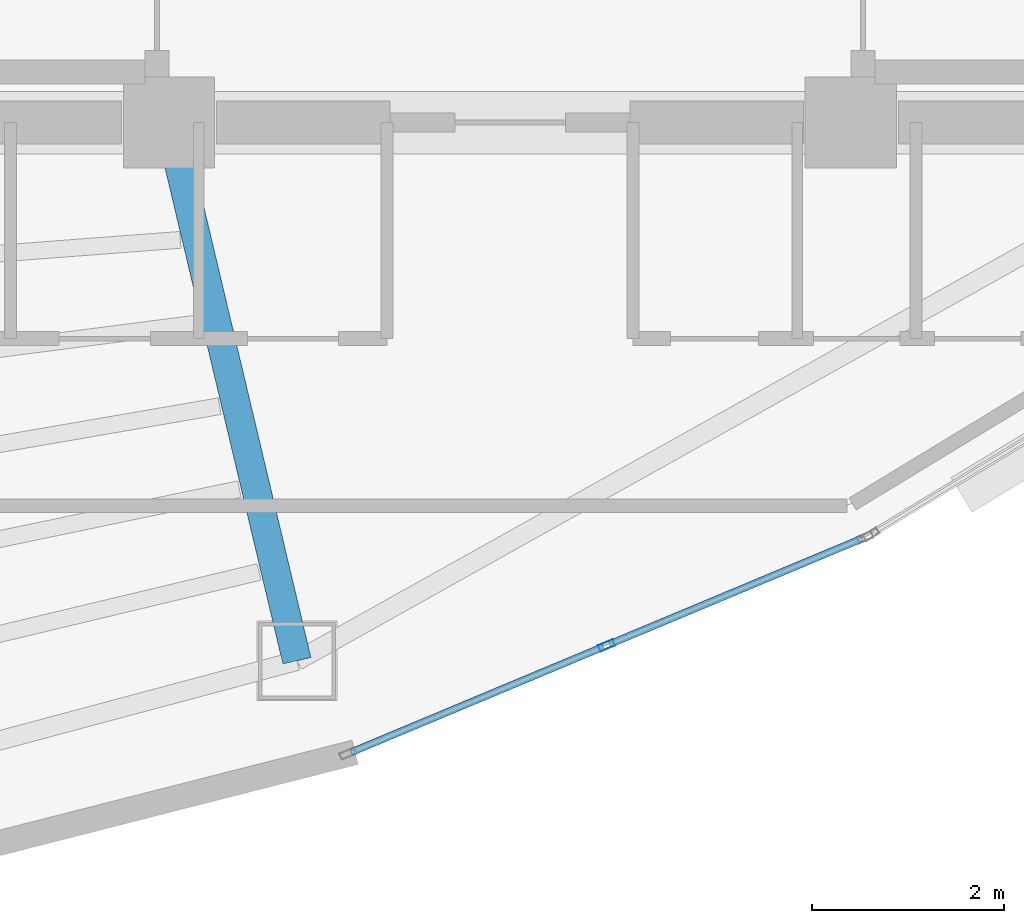
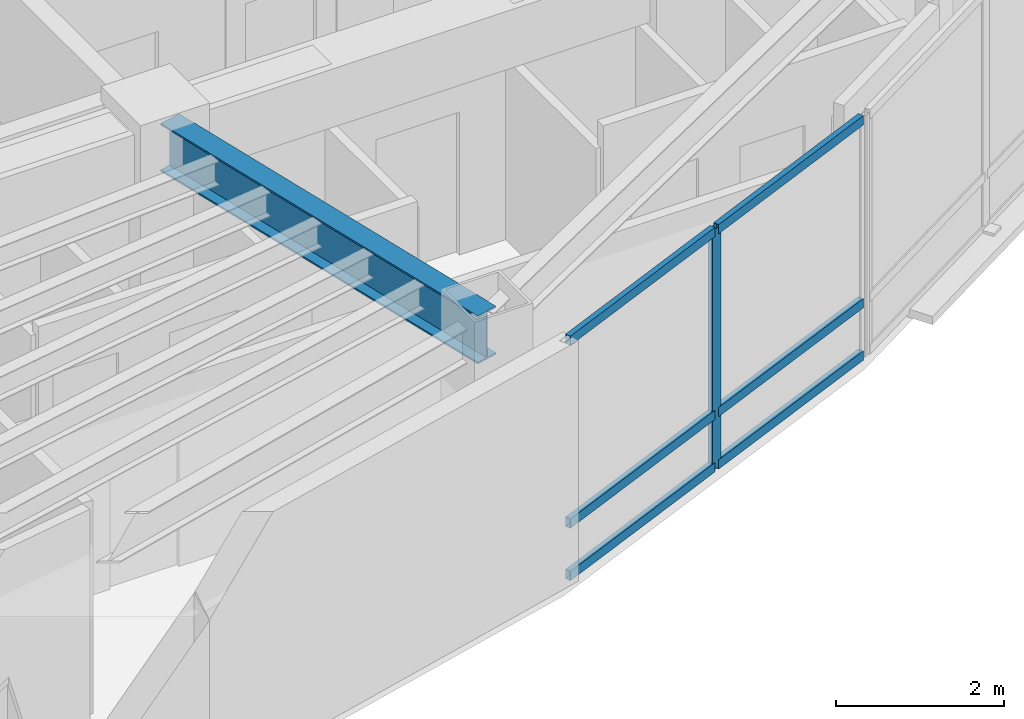
# One storey, part 3 of 15: 7 members, 1 beam, 1 element without a shape of its own.
"""IFC4 building model written with IfcOpenShell, lengths in metres."""

from ifc_helpers import new_model, si_unit, direction, frame, origin, origin_2d, place, context, subcontext, project, spatial, hollow_rectangle, i_section, extrude, material, layer, layer_set, material_profile, profile_set, type_object, element, aggregate, save


model = new_model("IFC4")

# Units and contexts
model_context = context("Model", 3, precision=1e-05, world=origin(), true_north=direction((0.0, 1.0)))
body_context = subcontext(model_context, "Body", "Model", "MODEL_VIEW")
ifc_project = project(units=[si_unit("LENGTHUNIT", "METRE"), si_unit("AREAUNIT", "SQUARE_METRE"), si_unit("VOLUMEUNIT", "CUBIC_METRE"), si_unit("PLANEANGLEUNIT", "RADIAN"), si_unit("MASSUNIT", "GRAM", prefix="KILO")], contexts=[model_context])

# Site, building, storey
site_placement = place(None, origin())
site = spatial("IfcSite", under=ifc_project, at=site_placement, CompositionType="ELEMENT")
building_placement = place(site_placement, origin())
building = spatial("IfcBuilding", under=site, at=building_placement, Name="Menara Vayukalpa", CompositionType="ELEMENT")
storey_placement = place(building_placement, frame((0.0, 0.0, 258.300048828125)))
storey = spatial("IfcBuildingStorey", under=building, at=storey_placement, Name="L65", CompositionType="ELEMENT", Elevation=258.300048828125)

# Beam
ifc_material_1 = material(Name="Steel S355", Category="steel")
ifc_material_profile_1 = material_profile(ifc_material_1, i_section(OverallWidth=0.300048828125, OverallDepth=0.699951171875, WebThickness=0.012939453125, FlangeThickness=0.02392578125, at=origin_2d()), Name="WF 700x300x13x24")
ifc_profile_set_1 = profile_set([ifc_material_profile_1], Name="Steel S355")
beam_type = type_object("IfcBeamType", Name="BM-PG5", PredefinedType="BEAM", material=ifc_profile_set_1)
beam_placement = place(storey_placement, frame((22.10791015625, 16.956787109375, 3.14990234375), z_axis=(0.231167310854, -0.972914011818, 0.0), x_axis=(0.972914011818, 0.231167310854, 0.0)))
element("IfcBeam", 1, at=beam_placement, inside=storey, type_object=beam_type, Name="L65 Primary Radial Girder RG08", PredefinedType="BEAM", context=body_context, shape_type="SweptSolid", body=[
    extrude(i_section(OverallWidth=0.300048828125, OverallDepth=0.699951171875, WebThickness=0.012939453125, FlangeThickness=0.02392578125, at=origin_2d()), origin(), (0.0, 0.0, 1.0), 5.5107421875),
])

# Curtain wall, members
ifc_material_2 = material(Name="Anodised Terracotta Aluminium Alloy 6063-T6", Category="masonry")
ifc_layer = layer(ifc_material_2, 0.1650390625)
ifc_layer_set = layer_set([ifc_layer], Name="Anodised Terracotta Aluminium Alloy 6063-T6")
curtain_wall_type = type_object("IfcCurtainWallType", Name="CW-CW6", PredefinedType="USERDEFINED", material=ifc_layer_set)
curtain_wall_placement = place(storey_placement, origin())
curtain_wall = element("IfcCurtainWall", 2, at=curtain_wall_placement, inside=storey, type_object=curtain_wall_type, Name="L65 Observation and Executive Curtain Wall CW6 16", ObjectType="UNITISED", PredefinedType="USERDEFINED")
ifc_material_3 = material(Name="Anodised Terracotta Aluminium Alloy 6063-T6", Category="masonry")
ifc_material_profile_2 = material_profile(ifc_material_3, hollow_rectangle(XDim=0.070068359375, YDim=0.1650390625, WallThickness=0.00390625, at=origin_2d()), Name="ALU 70x165x4")
ifc_profile_set_2 = profile_set([ifc_material_profile_2], Name="Anodised Terracotta Aluminium Alloy 6063-T6")
member_type_1 = type_object("IfcMemberType", Name="CWM-CW6", PredefinedType="MULLION", material=ifc_profile_set_2)
member_1_placement = place(storey_placement, frame((26.60595703125, 11.7548828125, 0.0), z_axis=(0.0, 0.0, 1.0), x_axis=(-0.385899911703, 0.922540653927, 0.0)))
member_1 = element("IfcMember", 3, at=member_1_placement, type_object=member_type_1, Name="CW6 mullion 2", PredefinedType="MULLION", context=body_context, shape_type="SweptSolid", body=[
    extrude(hollow_rectangle(XDim=0.070068359375, YDim=0.1650390625, WallThickness=0.00390625, at=origin_2d()), origin(), (0.0, 0.0, 1.0), 3.5),
])
ifc_material_4 = material(Name="Anodised Terracotta Aluminium Alloy 6063-T6", Category="masonry")
ifc_material_profile_3 = material_profile(ifc_material_4, hollow_rectangle(XDim=0.074951171875, YDim=0.135009765625, WallThickness=0.00390625, at=origin_2d()), Name="ALU 75x135x4")
ifc_profile_set_3 = profile_set([ifc_material_profile_3], Name="Anodised Terracotta Aluminium Alloy 6063-T6")
member_type_2 = type_object("IfcMemberType", Name="CWT-CW6", PredefinedType="USERDEFINED", material=ifc_profile_set_3)
member_2_placement = place(storey_placement, frame((23.945556640625, 10.64208984375, 0.037353515625), z_axis=(0.922541050276, 0.38589896418, 0.0), x_axis=(-0.38589896418, 0.922541050276, 0.0)))
member_2 = element("IfcMember", 4, at=member_2_placement, type_object=member_type_2, Name="CW6 transom 1.1", ObjectType="TRANSOM", PredefinedType="USERDEFINED", context=body_context, shape_type="SweptSolid", body=[
    extrude(hollow_rectangle(XDim=0.074951171875, YDim=0.135009765625, WallThickness=0.00390625, at=origin_2d()), origin(), (0.0, 0.0, 1.0), 2.848876953125),
])
member_3_placement = place(storey_placement, frame((23.945556640625, 10.64208984375, 0.800048828125), z_axis=(0.922541050276, 0.38589896418, 0.0), x_axis=(-0.38589896418, 0.922541050276, 0.0)))
member_3 = element("IfcMember", 5, at=member_3_placement, type_object=member_type_2, Name="CW6 transom 1.2", ObjectType="TRANSOM", PredefinedType="USERDEFINED", context=body_context, shape_type="SweptSolid", body=[
    extrude(hollow_rectangle(XDim=0.074951171875, YDim=0.135009765625, WallThickness=0.00390625, at=origin_2d()), origin(), (0.0, 0.0, 1.0), 2.848876953125),
])
member_4_placement = place(storey_placement, frame((23.945556640625, 10.64208984375, 3.46240234375), z_axis=(0.922541050276, 0.38589896418, 0.0), x_axis=(-0.38589896418, 0.922541050276, 0.0)))
member_4 = element("IfcMember", 6, at=member_4_placement, type_object=member_type_2, Name="CW6 transom 1.3", ObjectType="TRANSOM", PredefinedType="USERDEFINED", context=body_context, shape_type="SweptSolid", body=[
    extrude(hollow_rectangle(XDim=0.074951171875, YDim=0.135009765625, WallThickness=0.00390625, at=origin_2d()), origin(), (0.0, 0.0, 1.0), 2.848876953125),
])
member_5_placement = place(storey_placement, frame((26.638427734375, 11.768310546875, 0.037353515625), z_axis=(0.922528286758, 0.385929475592, 0.0), x_axis=(-0.385929475592, 0.922528286758, 0.0)))
member_5 = element("IfcMember", 7, at=member_5_placement, type_object=member_type_2, Name="CW6 transom 2.1", ObjectType="TRANSOM", PredefinedType="USERDEFINED", context=body_context, shape_type="SweptSolid", body=[
    extrude(hollow_rectangle(XDim=0.074951171875, YDim=0.135009765625, WallThickness=0.00390625, at=origin_2d()), origin(), (0.0, 0.0, 1.0), 2.8486328125),
])
member_6_placement = place(storey_placement, frame((26.638427734375, 11.768310546875, 0.800048828125), z_axis=(0.922528286758, 0.385929475592, 0.0), x_axis=(-0.385929475592, 0.922528286758, 0.0)))
member_6 = element("IfcMember", 8, at=member_6_placement, type_object=member_type_2, Name="CW6 transom 2.2", ObjectType="TRANSOM", PredefinedType="USERDEFINED", context=body_context, shape_type="SweptSolid", body=[
    extrude(hollow_rectangle(XDim=0.074951171875, YDim=0.135009765625, WallThickness=0.00390625, at=origin_2d()), origin(), (0.0, 0.0, 1.0), 2.8486328125),
])
member_7_placement = place(storey_placement, frame((26.638427734375, 11.768310546875, 3.46240234375), z_axis=(0.922528286758, 0.385929475592, 0.0), x_axis=(-0.385929475592, 0.922528286758, 0.0)))
member_7 = element("IfcMember", 9, at=member_7_placement, type_object=member_type_2, Name="CW6 transom 2.3", ObjectType="TRANSOM", PredefinedType="USERDEFINED", context=body_context, shape_type="SweptSolid", body=[
    extrude(hollow_rectangle(XDim=0.074951171875, YDim=0.135009765625, WallThickness=0.00390625, at=origin_2d()), origin(), (0.0, 0.0, 1.0), 2.8486328125),
])
aggregate(curtain_wall, [member_1, member_2, member_3, member_4, member_5, member_6, member_7])

save(model, "model.ifc")
